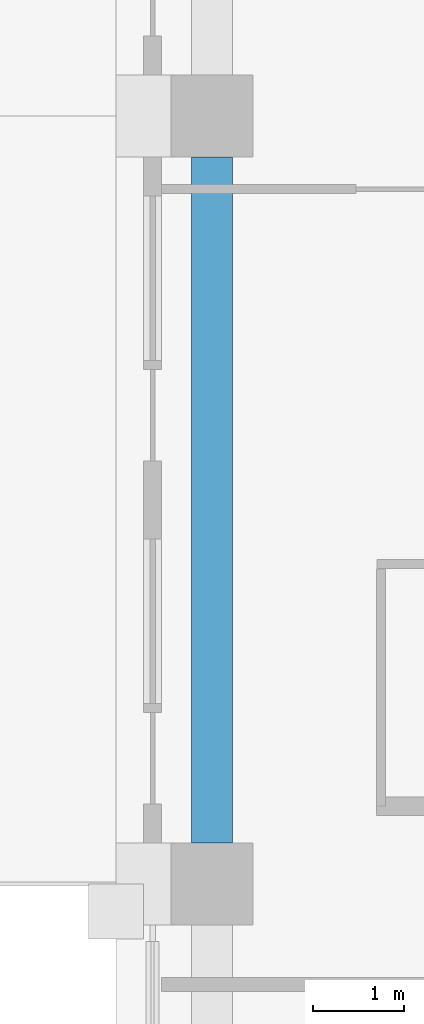
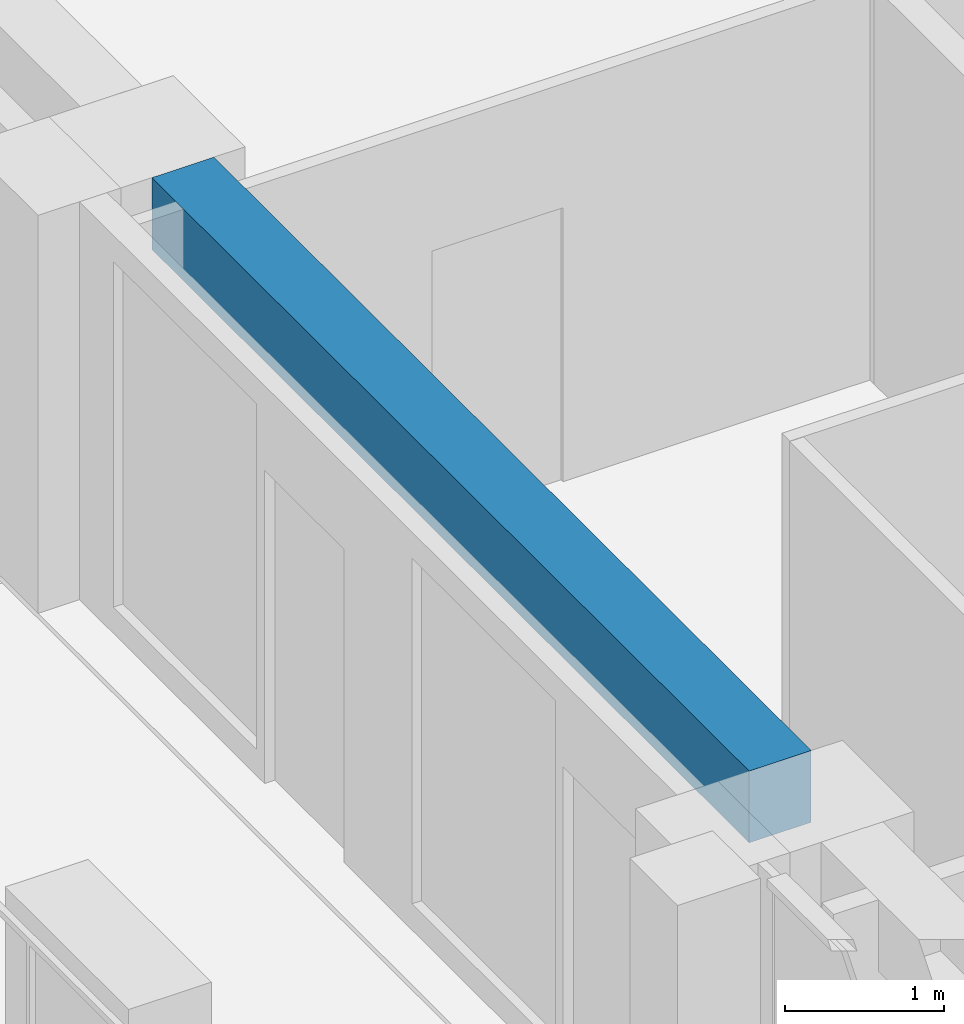
# One storey, part 3 of 16: 1 beam.
"""IFC4 building model written with IfcOpenShell, lengths in metres."""

from ifc_helpers import new_model, si_unit, direction, frame, origin, origin_2d, place, context, subcontext, project, spatial, rectangle, extrude, material, material_profile, profile_set, type_object, element, save


model = new_model("IFC4")

# Units and contexts
model_context = context("Model", 3, precision=1e-05, world=origin(), true_north=direction((0.0, 1.0)))
body_context = subcontext(model_context, "Body", "Model", "MODEL_VIEW")
ifc_project = project(units=[si_unit("LENGTHUNIT", "METRE"), si_unit("AREAUNIT", "SQUARE_METRE"), si_unit("VOLUMEUNIT", "CUBIC_METRE"), si_unit("PLANEANGLEUNIT", "RADIAN"), si_unit("MASSUNIT", "GRAM", prefix="KILO")], contexts=[model_context])

# Site, building, storey
site_placement = place(None, origin())
site = spatial("IfcSite", under=ifc_project, at=site_placement, CompositionType="ELEMENT")
building_placement = place(site_placement, origin())
building = spatial("IfcBuilding", under=site, at=building_placement, Name="Vermilion Ogive Tower", CompositionType="ELEMENT")
storey_placement = place(building_placement, frame((0.0, 0.0, 247.60009765625)))
storey = spatial("IfcBuildingStorey", under=building, at=storey_placement, Name="L65", CompositionType="ELEMENT", Elevation=247.60009765625)

# Beam
ifc_material = material(Name="Concrete B45", Category="concrete")
ifc_material_profile = material_profile(ifc_material, rectangle(XDim=0.449951171875, YDim=0.550048828125, at=origin_2d()), Name="450 x 550")
ifc_profile_set = profile_set([ifc_material_profile], Name="Concrete B45")
beam_type = type_object("IfcBeamType", Name="Edge beam 450 x 550 B45", PredefinedType="BEAM", material=ifc_profile_set)
beam_placement = place(storey_placement, frame((-25.199951171875, 3.75, 2.77490234375), z_axis=(0.0, -1.0, 0.0), x_axis=(1.0, 0.0, 0.0)))
element("IfcBeam", 1, at=beam_placement, inside=storey, type_object=beam_type, Name="L65-EB-15", PredefinedType="BEAM", context=body_context, shape_type="SweptSolid", body=[
    extrude(rectangle(XDim=0.449951171875, YDim=0.550048828125, at=origin_2d()), origin(), (0.0, 0.0, 1.0), 7.5),
])

save(model, "model.ifc")
